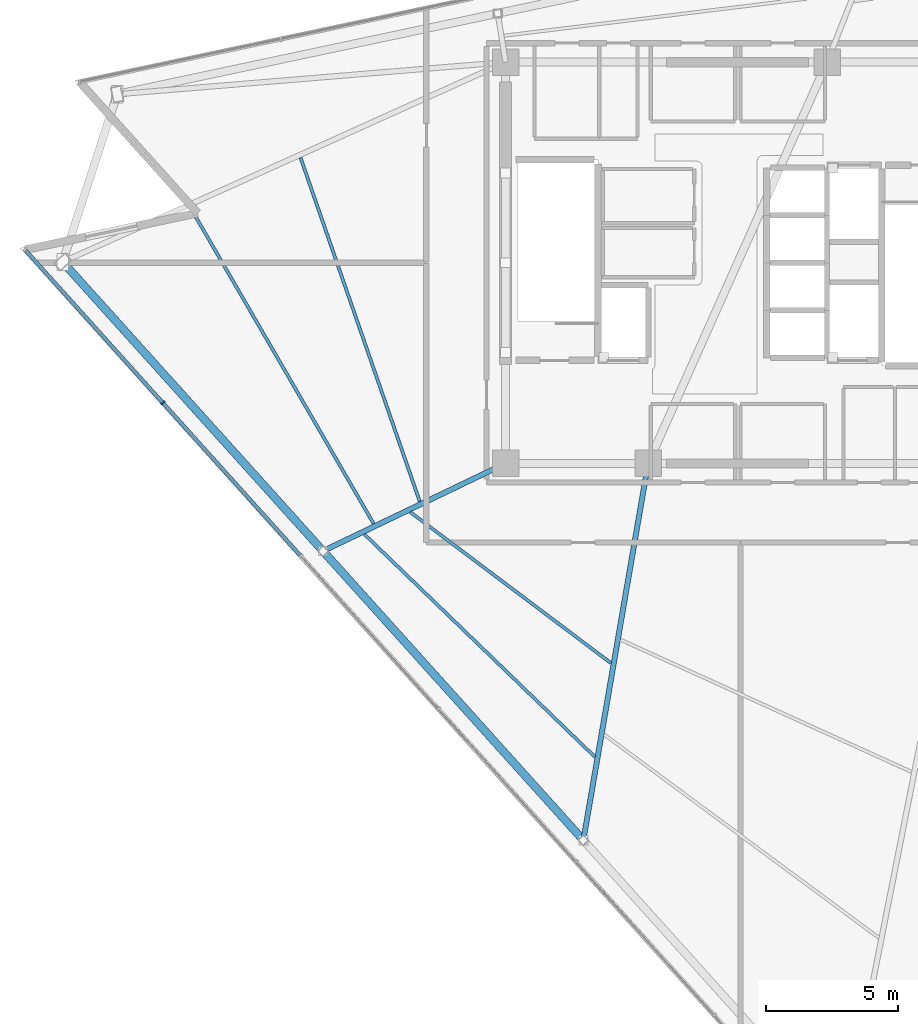
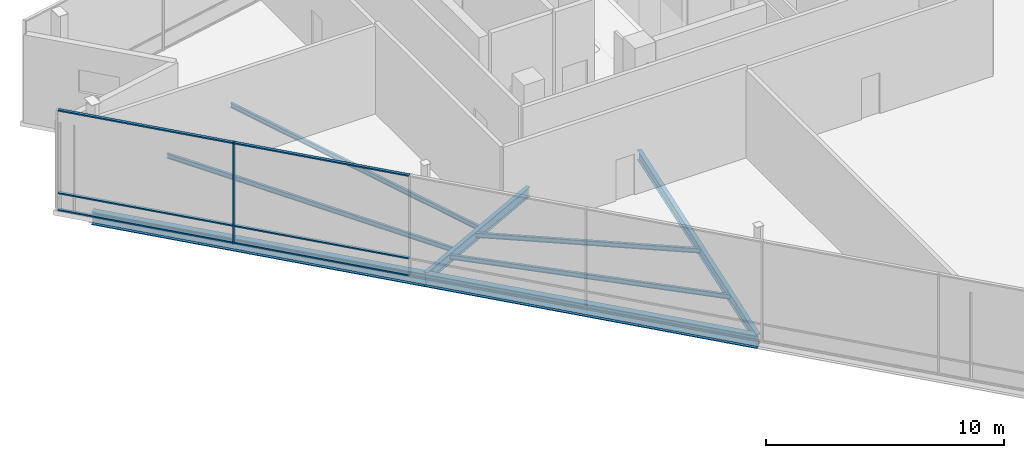
# One storey, part 4 of 14: 8 beams, 7 members, 1 element without a shape of its own.
"""IFC4 building model written with IfcOpenShell, lengths in metres."""

import ifcopenshell
import ifcopenshell.guid

model = None  # the IFC model being written
_history = None  # IfcOwnerHistory: only IFC2X3 demands one
_inside = {}  # id of a spatial element -> (the spatial element, [elements in it])
_under = {}  # id of a project, library or spatial element -> (it, [spatial elements below it])
_declared = {}  # id of a project -> (the project, [libraries it declares])
_typed = {}  # id of a type object -> (the type object, [elements of that type])
_made_of = {}  # id of a material, layer set ... -> (it, [elements and type objects made of it])


def new_model(schema):
    """Start an empty IFC model of exactly this schema.

    Asked for "IFC4X3", IfcOpenShell would pick the latest addendum, in which some entities
    have other attributes; the version numbers below select the first issue.
    IFC2X3 requires an IfcOwnerHistory on every rooted entity: one is made here for all.
    """
    global model, _history
    if schema == "IFC4X3":
        model = ifcopenshell.file(schema_version=(4, 3, 0, 0))
    else:
        model = ifcopenshell.file(schema=schema)
    _inside.clear()
    _under.clear()
    _declared.clear()
    _typed.clear()
    _made_of.clear()
    _history = None
    if model.schema == "IFC2X3":
        org = make("IfcOrganization", Name="unknown")
        user = make(
            "IfcPersonAndOrganization",
            ThePerson=make("IfcPerson", FamilyName="unknown"),
            TheOrganization=org,
        )
        app = make(
            "IfcApplication",
            ApplicationDeveloper=org,
            Version="unknown",
            ApplicationFullName="unknown",
            ApplicationIdentifier="unknown",
        )
        _history = make(
            "IfcOwnerHistory",
            OwningUser=user,
            OwningApplication=app,
            ChangeAction="ADDED",
            CreationDate=0,
        )
    return model


def make(cls, **values):
    """One entity of the class cls with the attributes given. An attribute that is None is left unset."""
    return model.create_entity(
        cls, **{name: value for name, value in values.items() if value is not None}
    )


def rooted(cls, **values):
    """An entity with a GlobalId (a new one), such as an element, a storey or a relation."""
    return make(cls, GlobalId=ifcopenshell.guid.new(), OwnerHistory=_history, **values)


def si_unit(unit_type, name, prefix=None):
    """IfcSIUnit, for example si_unit("LENGTHUNIT", "METRE", prefix="MILLI")."""
    return make("IfcSIUnit", UnitType=unit_type, Prefix=prefix, Name=name)


def assignment(units):
    """IfcUnitAssignment: the units of a project."""
    return None if units is None else make("IfcUnitAssignment", Units=units)


def point(xyz):
    """IfcCartesianPoint."""
    return None if xyz is None else make("IfcCartesianPoint", Coordinates=xyz)


def direction(xyz):
    """IfcDirection."""
    return None if xyz is None else make("IfcDirection", DirectionRatios=xyz)


def frame(location, z_axis=None, x_axis=None):
    """IfcAxis2Placement3D, a coordinate frame: its origin and axes. An axis left out is left unset."""
    return make(
        "IfcAxis2Placement3D",
        Location=point(location),
        Axis=direction(z_axis),
        RefDirection=direction(x_axis),
    )


def frame_2d(location, x_axis=None):
    """IfcAxis2Placement2D, a coordinate frame in the plane: its origin and x axis."""
    return make(
        "IfcAxis2Placement2D", Location=point(location), RefDirection=direction(x_axis)
    )


def origin():
    """The frame at (0, 0, 0) with its axes left unset."""
    return frame((0.0, 0.0, 0.0))


def origin_2d():
    """The frame at (0, 0) in the plane with its x axis left unset."""
    return frame_2d((0.0, 0.0))


def place(relative_to, where):
    """IfcLocalPlacement: puts the frame where relative to a parent placement (None: the world)."""
    return make(
        "IfcLocalPlacement", PlacementRelTo=relative_to, RelativePlacement=where
    )


def context(
    kind, dimensions, precision=None, world=None, true_north=None, identifier=None
):
    """IfcGeometricRepresentationContext, for example the 3D "Model" context."""
    return make(
        "IfcGeometricRepresentationContext",
        ContextIdentifier=identifier,
        ContextType=kind,
        CoordinateSpaceDimension=dimensions,
        Precision=precision,
        WorldCoordinateSystem=world,
        TrueNorth=true_north,
    )


def subcontext(parent, identifier, kind, view, scale=None):
    """IfcGeometricRepresentationSubContext, for example "Body" below "Model"."""
    return make(
        "IfcGeometricRepresentationSubContext",
        ContextIdentifier=identifier,
        ContextType=kind,
        ParentContext=parent,
        TargetScale=scale,
        TargetView=view,
    )


def project(units=None, contexts=None):
    """IfcProject with its units and contexts."""
    return rooted(
        "IfcProject",
        Name="project",
        RepresentationContexts=contexts,
        UnitsInContext=assignment(units),
    )


def spatial(cls, under=None, at=None, **own):
    """A site, building, storey or space (cls), placed at a placement, below another one or the project."""
    s = rooted(cls, ObjectPlacement=at, **own)
    if under is not None:
        _under.setdefault(under.id(), (under, []))[1].append(s)
    return s


def profile(cls, at=None, kind="AREA", **sizes):
    """A parametric profile (cls). Its sizes go by their IFC names, for example OverallWidth=200.0."""
    return make(cls, ProfileType=kind, Position=at, **sizes)


def rectangle(**sizes):
    """IfcRectangleProfileDef."""
    return profile("IfcRectangleProfileDef", **sizes)


def i_section(**sizes):
    """IfcIShapeProfileDef."""
    return profile("IfcIShapeProfileDef", **sizes)


def extrude(swept, where, along, depth):
    """IfcExtrudedAreaSolid: the profile swept, set in the frame where, extruded along a direction by depth."""
    return make(
        "IfcExtrudedAreaSolid",
        SweptArea=swept,
        Position=where,
        ExtrudedDirection=direction(along),
        Depth=depth,
    )


def shape(context_of_items, identifier, shape_type, items):
    """IfcShapeRepresentation: the items that make up one representation, for example the "Body"."""
    return make(
        "IfcShapeRepresentation",
        ContextOfItems=context_of_items,
        RepresentationIdentifier=identifier,
        RepresentationType=shape_type,
        Items=items,
    )


def material(Name=None, Category=None):
    """IfcMaterial."""
    return make("IfcMaterial", Name=Name, Category=Category)


def layer(
    of_material, thickness, ventilated=None, Name=None, Category=None, Priority=None
):
    """IfcMaterialLayer: one layer of a wall or slab, of a material (None: an air gap)."""
    return make(
        "IfcMaterialLayer",
        Material=of_material,
        LayerThickness=thickness,
        IsVentilated=ventilated,
        Name=Name,
        Category=Category,
        Priority=Priority,
    )


def layer_set(layers, Name=None):
    """IfcMaterialLayerSet."""
    return make("IfcMaterialLayerSet", MaterialLayers=layers, LayerSetName=Name)


def material_profile(
    of_material, cross_section, Name=None, Category=None, Priority=None
):
    """IfcMaterialProfile: a cross section and its material."""
    return make(
        "IfcMaterialProfile",
        Name=Name,
        Material=of_material,
        Profile=cross_section,
        Priority=Priority,
        Category=Category,
    )


def profile_set(profiles, Name=None, composite=None):
    """IfcMaterialProfileSet."""
    return make(
        "IfcMaterialProfileSet",
        Name=Name,
        MaterialProfiles=profiles,
        CompositeProfile=composite,
    )


def made_of(thing, what):
    """Note that an element or type object is made of a material, layer set ...; save() writes the relation."""
    if what is not None:
        _made_of.setdefault(what.id(), (what, []))[1].append(thing)
    return thing


def type_object(cls, material=None, **own):
    """A type object (cls), such as IfcWallType, which elements share."""
    return made_of(rooted(cls, **own), material)


def element(
    cls,
    number,
    at=None,
    inside=None,
    cuts=None,
    type_object=None,
    material=None,
    context=None,
    identifier="Body",
    shape_type=None,
    held_by="IfcProductDefinitionShape",
    body=None,
    shapes=None,
    **own,
):
    """One element of the class cls, such as IfcWall. Its Tag is "e" and its number.

    at: its placement. inside: the storey or other place that contains it. cuts: it is an
    opening in that element (IfcRelVoidsElement). A single representation is given by context,
    identifier, shape_type and body (its items); several are given by shapes. held_by: the class
    of the entity that holds the representations. save() writes the other relations.
    """
    e = rooted(cls, Tag="e%d" % number, ObjectPlacement=at, **own)
    if body is not None:
        shapes = [shape(context, identifier, shape_type, body)]
    if shapes is not None:
        e.Representation = make(held_by, Representations=shapes)
    if inside is not None:
        _inside.setdefault(inside.id(), (inside, []))[1].append(e)
    if cuts is not None:
        rooted(
            "IfcRelVoidsElement", RelatingBuildingElement=cuts, RelatedOpeningElement=e
        )
    if type_object is not None:
        _typed.setdefault(type_object.id(), (type_object, []))[1].append(e)
    return made_of(e, material)


def aggregate(whole, parts):
    """IfcRelAggregates: a whole, such as a stair, and the parts it consists of."""
    return rooted("IfcRelAggregates", RelatingObject=whole, RelatedObjects=parts)


def save(model, path):
    """Write the relations noted so far, then the file.

    IfcRelAggregates (storeys below a building ...), IfcRelContainedInSpatialStructure (elements
    in a storey), IfcRelDefinesByType, IfcRelAssociatesMaterial and IfcRelDeclares: one each for
    every whole, place, type object, material and project.
    """
    for whole, parts in _under.values():
        aggregate(whole, parts)
    for where, things in _inside.values():
        rooted(
            "IfcRelContainedInSpatialStructure",
            RelatedElements=things,
            RelatingStructure=where,
        )
    for kind, things in _typed.values():
        rooted("IfcRelDefinesByType", RelatedObjects=things, RelatingType=kind)
    for what, things in _made_of.values():
        rooted("IfcRelAssociatesMaterial", RelatedObjects=things, RelatingMaterial=what)
    for by, libraries in _declared.values():
        rooted("IfcRelDeclares", RelatingContext=by, RelatedDefinitions=libraries)
    model.write(path)


model = new_model("IFC4")

# Units and contexts
model_context = context("Model", 3, precision=1e-05, world=origin(), true_north=direction((0.0, 1.0)))
body_context = subcontext(model_context, "Body", "Model", "MODEL_VIEW")
ifc_project = project(units=[si_unit("LENGTHUNIT", "METRE"), si_unit("AREAUNIT", "SQUARE_METRE"), si_unit("VOLUMEUNIT", "CUBIC_METRE"), si_unit("PLANEANGLEUNIT", "RADIAN"), si_unit("MASSUNIT", "GRAM", prefix="KILO")], contexts=[model_context])

# Site, building, storey
site_placement = place(None, origin())
site = spatial("IfcSite", under=ifc_project, at=site_placement, CompositionType="ELEMENT")
building_placement = place(site_placement, origin())
building = spatial("IfcBuilding", under=site, at=building_placement, Name="Tharavind Bronze Gate", CompositionType="ELEMENT")
storey_placement = place(building_placement, frame((0.0, 0.0, 310.85009765625)))
storey = spatial("IfcBuildingStorey", under=building, at=storey_placement, Name="L80", CompositionType="ELEMENT", Elevation=310.85009765625)

# Curtain wall, members
ifc_material_1 = material(Name="Anodised Bronze Aluminium", Category="aluminium")
ifc_layer = layer(ifc_material_1, 0.219970703125)
ifc_layer_set = layer_set([ifc_layer], Name="Anodised Bronze Aluminium")
curtain_wall_type = type_object("IfcCurtainWallType", Name="UNITISED CURTAIN WALL CROWN", PredefinedType="USERDEFINED", material=ifc_layer_set)
curtain_wall_placement = place(storey_placement, origin())
curtain_wall = element("IfcCurtainWall", 1, at=curtain_wall_placement, inside=storey, type_object=curtain_wall_type, Name="L80 unitised curtain wall crown CW-L80-S1", ObjectType="UNITISED CURTAIN WALL", PredefinedType="USERDEFINED")
member_type_1 = type_object("IfcMemberType", Name="CURTAIN WALL BRONZE MULLION 65X180", PredefinedType="MULLION", material=ifc_material_1)
member_1_placement = place(storey_placement, frame((-21.88427734375, -5.30322265625, 0.0), z_axis=(0.0, 0.0, 1.0), x_axis=(0.669130606359, -0.743144825477, 0.0)))
member_1 = element("IfcMember", 2, at=member_1_placement, type_object=member_type_1, Name="CW-L80-S1 mullion 2", PredefinedType="MULLION", context=body_context, shape_type="SweptSolid", body=[
    extrude(rectangle(XDim=0.06494140625, YDim=0.179931640625, at=origin_2d()), origin(), (0.0, 0.0, 1.0), 5.179931640625),
])
member_type_2 = type_object("IfcMemberType", Name="CURTAIN WALL BRONZE TRANSOM 65X140", PredefinedType="USERDEFINED", material=ifc_material_1)
member_2_placement = place(storey_placement, frame((-24.494873046875, -2.404052734375, 0.0), z_axis=(0.0, 0.0, 1.0), x_axis=(0.669130606359, -0.743144825477, 0.0)))
member_2 = element("IfcMember", 3, at=member_2_placement, type_object=member_type_2, Name="CW-L80-S1 transom TB1", ObjectType="TRANSOM", PredefinedType="USERDEFINED", context=body_context, shape_type="SweptSolid", body=[
    extrude(rectangle(XDim=7.749755859375, YDim=0.139892578125, at=origin_2d()), origin(), (0.0, 0.0, 1.0), 0.06494140625),
])
member_3_placement = place(storey_placement, frame((-24.494873046875, -2.404052734375, 0.867431640625), z_axis=(0.0, 0.0, 1.0), x_axis=(0.669130606359, -0.743144825477, 0.0)))
member_3 = element("IfcMember", 4, at=member_3_placement, type_object=member_type_2, Name="CW-L80-S1 transom TS1", ObjectType="TRANSOM", PredefinedType="USERDEFINED", context=body_context, shape_type="SweptSolid", body=[
    extrude(rectangle(XDim=7.749755859375, YDim=0.139892578125, at=origin_2d()), origin(), (0.0, 0.0, 1.0), 0.06494140625),
])
member_4_placement = place(storey_placement, frame((-24.494873046875, -2.404052734375, 5.114990234375), z_axis=(0.0, 0.0, 1.0), x_axis=(0.669130606359, -0.743144825477, 0.0)))
member_4 = element("IfcMember", 5, at=member_4_placement, type_object=member_type_2, Name="CW-L80-S1 transom TT1", ObjectType="TRANSOM", PredefinedType="USERDEFINED", context=body_context, shape_type="SweptSolid", body=[
    extrude(rectangle(XDim=7.749755859375, YDim=0.139892578125, at=origin_2d()), origin(), (0.0, 0.0, 1.0), 0.06494140625),
])
member_5_placement = place(storey_placement, frame((-19.273681640625, -8.20263671875, 0.0), z_axis=(0.0, 0.0, 1.0), x_axis=(0.669130606359, -0.743144825477, 0.0)))
member_5 = element("IfcMember", 6, at=member_5_placement, type_object=member_type_2, Name="CW-L80-S1 transom TB2", ObjectType="TRANSOM", PredefinedType="USERDEFINED", context=body_context, shape_type="SweptSolid", body=[
    extrude(rectangle(XDim=7.749755859375, YDim=0.139892578125, at=origin_2d()), origin(), (0.0, 0.0, 1.0), 0.06494140625),
])
member_6_placement = place(storey_placement, frame((-19.273681640625, -8.20263671875, 0.867431640625), z_axis=(0.0, 0.0, 1.0), x_axis=(0.669130606359, -0.743144825477, 0.0)))
member_6 = element("IfcMember", 7, at=member_6_placement, type_object=member_type_2, Name="CW-L80-S1 transom TS2", ObjectType="TRANSOM", PredefinedType="USERDEFINED", context=body_context, shape_type="SweptSolid", body=[
    extrude(rectangle(XDim=7.749755859375, YDim=0.139892578125, at=origin_2d()), origin(), (0.0, 0.0, 1.0), 0.06494140625),
])
member_7_placement = place(storey_placement, frame((-19.273681640625, -8.20263671875, 5.114990234375), z_axis=(0.0, 0.0, 1.0), x_axis=(0.669130606359, -0.743144825477, 0.0)))
member_7 = element("IfcMember", 8, at=member_7_placement, type_object=member_type_2, Name="CW-L80-S1 transom TT2", ObjectType="TRANSOM", PredefinedType="USERDEFINED", context=body_context, shape_type="SweptSolid", body=[
    extrude(rectangle(XDim=7.749755859375, YDim=0.139892578125, at=origin_2d()), origin(), (0.0, 0.0, 1.0), 0.06494140625),
])
aggregate(curtain_wall, [member_1, member_2, member_3, member_4, member_5, member_6, member_7])

# Beams
ifc_material_2 = material(Name="Steel S355", Category="steel")
ifc_material_profile_1 = material_profile(ifc_material_2, i_section(OverallWidth=0.300048828125, OverallDepth=0.64990234375, WebThickness=0.01611328125, FlangeThickness=0.031005859375, at=origin_2d()), Name="HE650B")
ifc_profile_set_1 = profile_set([ifc_material_profile_1], Name="Steel S355")
beam_type_1 = type_object("IfcBeamType", Name="PRIMARY GIRDER HE650B", PredefinedType="USERDEFINED", material=ifc_profile_set_1)
beam_1_placement = place(storey_placement, frame((-25.6787109375, 0.03173828125, -0.565185546875), z_axis=(0.669125777788, -0.743149173113, 0.0), x_axis=(0.743149173113, 0.669125777788, 0.0)))
element("IfcBeam", 9, at=beam_1_placement, inside=storey, type_object=beam_type_1, Name="L80 primary girder he650b BM-L80-PRG01", ObjectType="GIRDER", PredefinedType="USERDEFINED", context=body_context, shape_type="SweptSolid", body=[
    extrude(i_section(OverallWidth=0.300048828125, OverallDepth=0.64990234375, WebThickness=0.01611328125, FlangeThickness=0.031005859375, at=origin_2d()), origin(), (0.0, 0.0, 1.0), 14.739501953125),
])
beam_2_placement = place(storey_placement, frame((-15.816162109375, -10.921875, -0.565185546875), z_axis=(0.669134014343, -0.7431417569, 0.0), x_axis=(0.7431417569, 0.669134014343, 0.0)))
element("IfcBeam", 10, at=beam_2_placement, inside=storey, type_object=beam_type_1, Name="L80 primary girder he650b BM-L80-PRG02", ObjectType="GIRDER", PredefinedType="USERDEFINED", context=body_context, shape_type="SweptSolid", body=[
    extrude(i_section(OverallWidth=0.300048828125, OverallDepth=0.64990234375, WebThickness=0.01611328125, FlangeThickness=0.031005859375, at=origin_2d()), origin(), (0.0, 0.0, 1.0), 14.7392578125),
])
ifc_material_profile_2 = material_profile(ifc_material_2, i_section(OverallWidth=0.199951171875, OverallDepth=0.5, WebThickness=0.01025390625, FlangeThickness=0.01611328125, at=origin_2d()), Name="IPE500")
ifc_profile_set_2 = profile_set([ifc_material_profile_2], Name="Steel S355")
beam_type_2 = type_object("IfcBeamType", Name="PRIMARY GIRDER IPE500", PredefinedType="USERDEFINED", material=ifc_profile_set_2)
beam_3_placement = place(storey_placement, frame((-15.816162109375, -10.921875, -0.489990234375), z_axis=(0.90142273265, 0.432940015547, 0.0), x_axis=(-0.432940015547, 0.90142273265, 0.0)))
element("IfcBeam", 11, at=beam_3_placement, inside=storey, type_object=beam_type_2, Name="L80 primary girder ipe500 BM-L80-RAD02", ObjectType="GIRDER", PredefinedType="USERDEFINED", context=body_context, shape_type="SweptSolid", body=[
    extrude(i_section(OverallWidth=0.199951171875, OverallDepth=0.5, WebThickness=0.01025390625, FlangeThickness=0.01611328125, at=origin_2d()), origin(), (0.0, 0.0, 1.0), 7.672607421875),
])
beam_4_placement = place(storey_placement, frame((-5.95361328125, -21.875244140625, -0.489990234375), z_axis=(0.169396075944, 0.985548055376, 0.0), x_axis=(-0.985548055376, 0.169396075944, 0.0)))
element("IfcBeam", 12, at=beam_4_placement, inside=storey, type_object=beam_type_2, Name="L80 primary girder ipe500 BM-L80-RAD03", ObjectType="GIRDER", PredefinedType="USERDEFINED", context=body_context, shape_type="SweptSolid", body=[
    extrude(i_section(OverallWidth=0.199951171875, OverallDepth=0.5, WebThickness=0.01025390625, FlangeThickness=0.01611328125, at=origin_2d()), origin(), (0.0, 0.0, 1.0), 14.484375),
])
ifc_material_profile_3 = material_profile(ifc_material_2, i_section(OverallWidth=0.1201171875, OverallDepth=0.239990234375, WebThickness=0.006103515625, FlangeThickness=0.009765625, at=origin_2d()), Name="IPE240")
ifc_profile_set_3 = profile_set([ifc_material_profile_3], Name="Steel S355")
beam_type_3 = type_object("IfcBeamType", Name="SECONDARY FLOOR JOIST IPE240", PredefinedType="JOIST", material=ifc_profile_set_3)
beam_5_placement = place(storey_placement, frame((-16.66796875, 3.982177734375, -0.360107421875), z_axis=(0.327619503862, -0.944809748409, 0.0), x_axis=(0.944809748409, 0.327619503862, 0.0)))
element("IfcBeam", 13, at=beam_5_placement, inside=storey, type_object=beam_type_3, Name="L80 secondary floor joist ipe240 BM-L80-JSTA01", PredefinedType="JOIST", context=body_context, shape_type="SweptSolid", body=[
    extrude(i_section(OverallWidth=0.1201171875, OverallDepth=0.239990234375, WebThickness=0.006103515625, FlangeThickness=0.009765625, at=origin_2d()), origin(), (0.0, 0.0, 1.0), 13.7890625),
])
beam_6_placement = place(storey_placement, frame((-20.84423828125, 2.09814453125, -0.360107421875), z_axis=(0.501531582807, -0.865139336435, 0.0), x_axis=(0.865139336435, 0.501531582807, 0.0)))
element("IfcBeam", 14, at=beam_6_placement, inside=storey, type_object=beam_type_3, Name="L80 secondary floor joist ipe240 BM-L80-JSTB01", PredefinedType="JOIST", context=body_context, shape_type="SweptSolid", body=[
    extrude(i_section(OverallWidth=0.1201171875, OverallDepth=0.239990234375, WebThickness=0.006103515625, FlangeThickness=0.009765625, at=origin_2d()), origin(), (0.0, 0.0, 1.0), 13.85107421875),
])
beam_7_placement = place(storey_placement, frame((-12.507080078125, -9.447265625, -0.360107421875), z_axis=(0.799041209175, -0.601276264325, 0.0), x_axis=(0.601276264325, 0.799041209175, 0.0)))
element("IfcBeam", 15, at=beam_7_placement, inside=storey, type_object=beam_type_3, Name="L80 secondary floor joist ipe240 BM-L80-JSTA02", PredefinedType="JOIST", context=body_context, shape_type="SweptSolid", body=[
    extrude(i_section(OverallWidth=0.1201171875, OverallDepth=0.239990234375, WebThickness=0.006103515625, FlangeThickness=0.009765625, at=origin_2d()), origin(), (0.0, 0.0, 1.0), 9.512939453125),
])
beam_8_placement = place(storey_placement, frame((-14.24951171875, -10.284423828125, -0.360107421875), z_axis=(0.719295778134, -0.694703953896, 0.0), x_axis=(0.694703953896, 0.719295778134, 0.0)))
element("IfcBeam", 16, at=beam_8_placement, inside=storey, type_object=beam_type_3, Name="L80 secondary floor joist ipe240 BM-L80-JSTB02", PredefinedType="JOIST", context=body_context, shape_type="SweptSolid", body=[
    extrude(i_section(OverallWidth=0.1201171875, OverallDepth=0.239990234375, WebThickness=0.006103515625, FlangeThickness=0.009765625, at=origin_2d()), origin(), (0.0, 0.0, 1.0), 12.1416015625),
])

save(model, "model.ifc")
